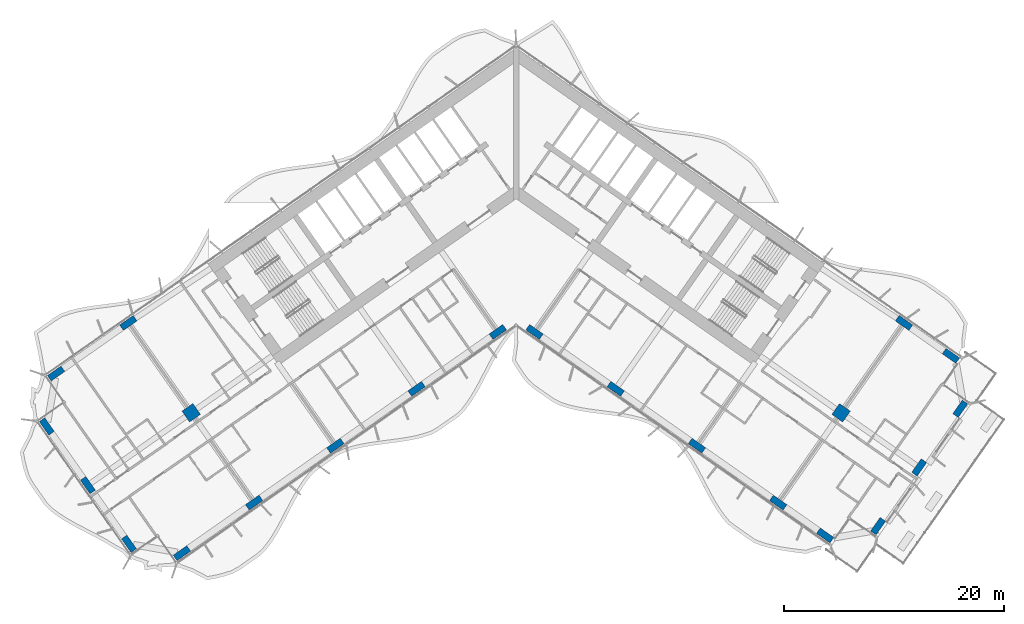
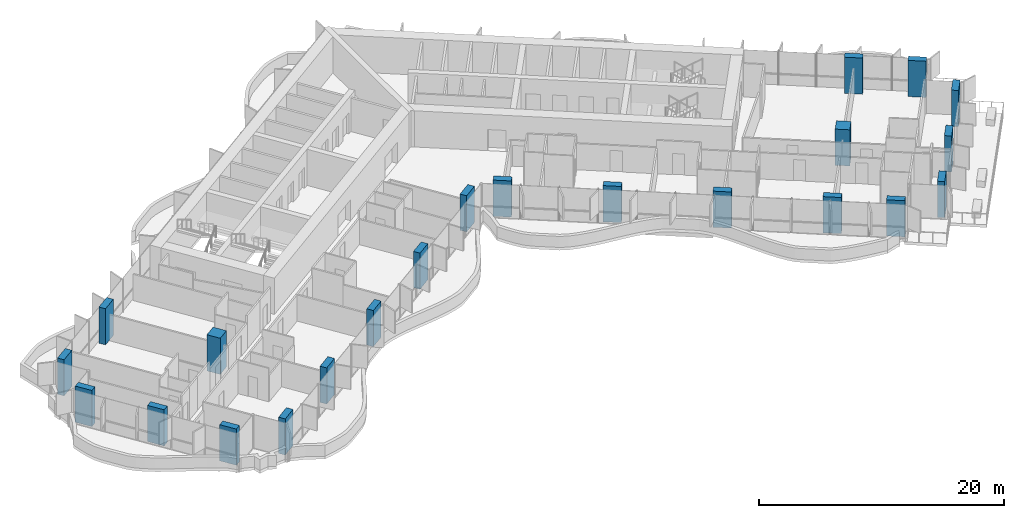
# One storey, part 1 of 25: 22 columns.
"""IFC4 building model written with IfcOpenShell, lengths in metres."""

from ifc_helpers import new_model, si_unit, direction, frame, origin, origin_2d, place, context, subcontext, project, spatial, rectangle, extrude, material, material_profile, profile_set, type_object, element, save


model = new_model("IFC4")

# Units and contexts
model_context = context("Model", 3, precision=1e-05, world=origin(), true_north=direction((0.0, 1.0)))
body_context = subcontext(model_context, "Body", "Model", "MODEL_VIEW")
ifc_project = project(units=[si_unit("LENGTHUNIT", "METRE"), si_unit("AREAUNIT", "SQUARE_METRE"), si_unit("VOLUMEUNIT", "CUBIC_METRE"), si_unit("PLANEANGLEUNIT", "RADIAN"), si_unit("MASSUNIT", "GRAM", prefix="KILO")], contexts=[model_context])

# Site, building, storey
site_placement = place(None, origin())
site = spatial("IfcSite", under=ifc_project, at=site_placement, CompositionType="ELEMENT")
building_placement = place(site_placement, origin())
building = spatial("IfcBuilding", under=site, at=building_placement, Name="Tel Ilan Convention Tower", CompositionType="ELEMENT")
storey_placement = place(building_placement, frame((0.0, 0.0, 76.10009765625)))
storey = spatial("IfcBuildingStorey", under=building, at=storey_placement, Name="L14", CompositionType="ELEMENT", Elevation=76.10009765625)

# Columns
ifc_material_1 = material(Name="Concrete C60/75", Category="concrete")
ifc_material_profile_1 = material_profile(ifc_material_1, rectangle(XDim=1.199951171875, YDim=1.199951171875, at=origin_2d()), Name="RC 1200x1200")
ifc_profile_set_1 = profile_set([ifc_material_profile_1], Name="Concrete C60/75")
column_type_1 = type_object("IfcColumnType", Name="Column RC 1200x1200 C60/75", PredefinedType="COLUMN", material=ifc_profile_set_1)
for number, where, z_axis, x_axis, name in (
    (1, (-29.489501953125, -20.648681640625, 0.0), (0.0, 0.0, 1.0), (-0.819152044289, -0.573576436351, 0.0), "L14 column W-M4"),
    (2, (29.489501953125, -20.648681640625, 0.0), (0.0, 0.0, 1.0), (0.819152044289, -0.573576436351, 0.0), "L14 column E-M4"),
):
    element("IfcColumn", number, at=place(storey_placement, frame(where, z_axis=z_axis, x_axis=x_axis)), inside=storey, type_object=column_type_1, Name=name, PredefinedType="COLUMN", context=body_context, shape_type="SweptSolid", body=[
        extrude(rectangle(XDim=1.199951171875, YDim=1.199951171875, at=origin_2d()), origin(), (0.0, 0.0, 1.0), 3.599853515625),
    ])
ifc_material_2 = material(Name="Concrete C60/75", Category="concrete")
ifc_material_profile_2 = material_profile(ifc_material_2, rectangle(XDim=1.5, YDim=0.60009765625, at=origin_2d()), Name="RC 600x1500")
ifc_profile_set_2 = profile_set([ifc_material_profile_2], Name="Concrete C60/75")
column_type_2 = type_object("IfcColumnType", Name="Column RC 600x1500 C60/75", PredefinedType="COLUMN", material=ifc_profile_set_2)
for number, where, z_axis, x_axis, name in (
    (3, (-1.665283203125, -13.312744140625, 0.0), (0.0, 0.0, 1.0), (-0.819152044289, -0.573576436351, 0.0), "L14 column W-F1"),
    (4, (-9.03759765625, -18.474853515625, 0.0), (0.0, 0.0, 1.0), (-0.819152044289, -0.573576436351, 0.0), "L14 column W-F2"),
    (5, (-16.409912109375, -23.63720703125, 0.0), (0.0, 0.0, 1.0), (-0.819152044289, -0.573576436351, 0.0), "L14 column W-F3"),
    (6, (-23.782470703125, -28.79931640625, 0.0), (0.0, 0.0, 1.0), (-0.819152044289, -0.573576436351, 0.0), "L14 column W-F4"),
    (7, (-30.335693359375, -33.387939453125, 0.0), (0.0, 0.0, 1.0), (-0.819152044289, -0.573576436351, 0.0), "L14 column W-FC"),
    (8, (-35.196533203125, -12.498291015625, 0.0), (0.0, 0.0, 1.0), (-0.819152044289, -0.573576436351, 0.0), "L14 column W-B4"),
    (9, (-41.749755859375, -17.0869140625, 0.0), (0.0, 0.0, 1.0), (-0.819152044289, -0.573576436351, 0.0), "L14 column W-BC"),
    (10, (-35.140380859375, -32.540771484375, 0.0), (0.0, 0.0, 1.0), (-0.573576436351, 0.819152044289, 0.0), "L14 column W-E1"),
    (11, (-38.868896484375, -27.21630859375, 0.0), (0.0, 0.0, 1.0), (-0.573576436351, 0.819152044289, 0.0), "L14 column W-E2"),
    (12, (-42.596923828125, -21.8916015625, 0.0), (0.0, 0.0, 1.0), (-0.573576436351, 0.819152044289, 0.0), "L14 column W-E3"),
    (13, (1.665283203125, -13.312744140625, 0.0), (0.0, 0.0, 1.0), (0.819152044289, -0.573576436351, 0.0), "L14 column E-F1"),
    (14, (9.03759765625, -18.474853515625, 0.0), (0.0, 0.0, 1.0), (0.819152044289, -0.573576436351, 0.0), "L14 column E-F2"),
    (15, (16.409912109375, -23.63720703125, 0.0), (0.0, 0.0, 1.0), (0.819152044289, -0.573576436351, 0.0), "L14 column E-F3"),
    (16, (23.782470703125, -28.79931640625, 0.0), (0.0, 0.0, 1.0), (0.819152044289, -0.573576436351, 0.0), "L14 column E-F4"),
    (17, (28.0419921875, -31.781982421875, 0.0), (0.0, 0.0, 1.0), (0.819152044289, -0.573576436351, 0.0), "L14 column E-FC"),
    (18, (35.196533203125, -12.498291015625, 0.0), (0.0, 0.0, 1.0), (0.819152044289, -0.573576436351, 0.0), "L14 column E-B4"),
    (19, (39.4560546875, -15.480712890625, 0.0), (0.0, 0.0, 1.0), (0.819152044289, -0.573576436351, 0.0), "L14 column E-BC"),
    (20, (32.846923828125, -30.934814453125, 0.0), (0.0, 0.0, 1.0), (0.573576436351, 0.819152044289, 0.0), "L14 column E-E1"),
    (21, (36.5751953125, -25.610107421875, 0.0), (0.0, 0.0, 1.0), (0.573576436351, 0.819152044289, 0.0), "L14 column E-E2"),
    (22, (40.303466796875, -20.28564453125, 0.0), (0.0, 0.0, 1.0), (0.573576436351, 0.819152044289, 0.0), "L14 column E-E3"),
):
    element("IfcColumn", number, at=place(storey_placement, frame(where, z_axis=z_axis, x_axis=x_axis)), inside=storey, type_object=column_type_2, Name=name, PredefinedType="COLUMN", context=body_context, shape_type="SweptSolid", body=[
        extrude(rectangle(XDim=1.5, YDim=0.60009765625, at=origin_2d()), origin(), (0.0, 0.0, 1.0), 3.599853515625),
    ])

save(model, "model.ifc")
